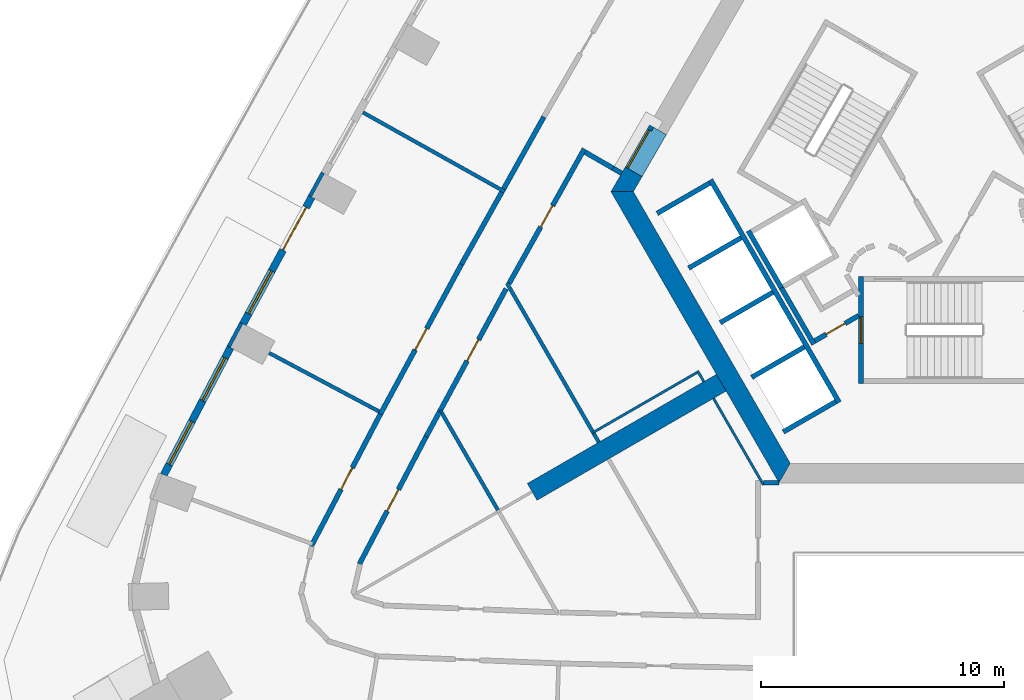
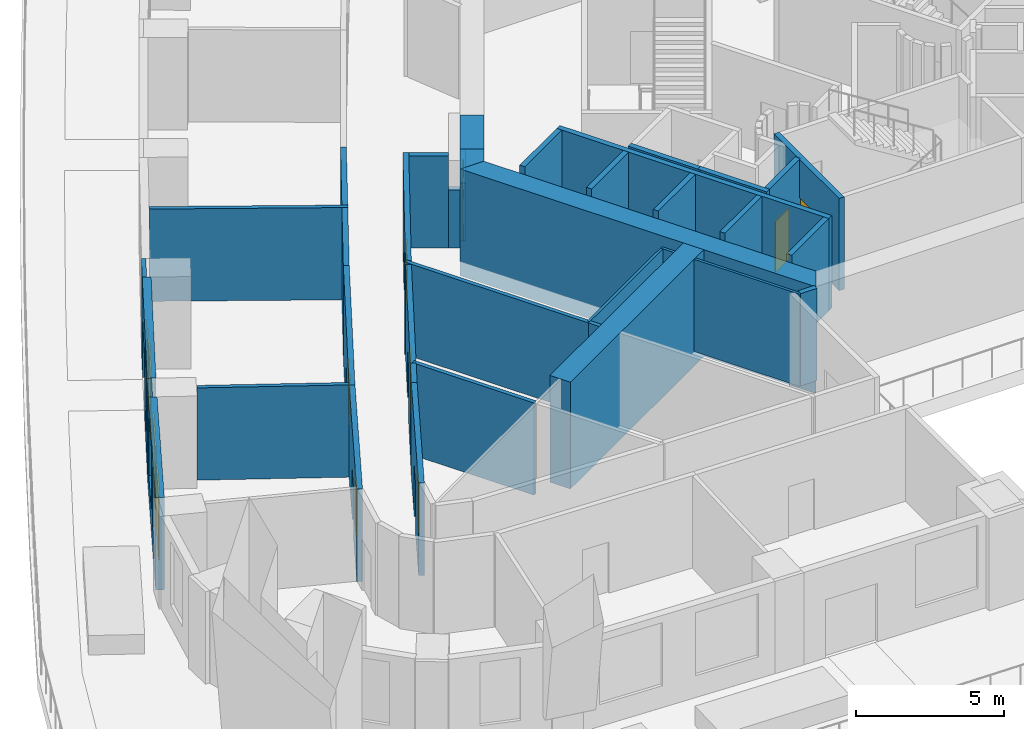
# One storey, part 5 of 16: 38 walls, 9 doors, 3 windows, 12 openings.
"""IFC4 building model written with IfcOpenShell, lengths in metres."""

from ifc_helpers import new_model, si_unit, direction, frame, frame_2d, origin, place, context, subcontext, project, spatial, polyline, rectangle, outline, extrude, material, layer, layer_set, type_object, element, fill, save


model = new_model("IFC4")

# Units and contexts
model_context = context("Model", 3, precision=1e-05, world=origin(), true_north=direction((0.0, 1.0)))
body_context = subcontext(model_context, "Body", "Model", "MODEL_VIEW")
ifc_project = project(units=[si_unit("LENGTHUNIT", "METRE"), si_unit("AREAUNIT", "SQUARE_METRE"), si_unit("VOLUMEUNIT", "CUBIC_METRE"), si_unit("PLANEANGLEUNIT", "RADIAN"), si_unit("MASSUNIT", "GRAM", prefix="KILO")], contexts=[model_context])

# Site, building, storey
site_placement = place(None, origin())
site = spatial("IfcSite", under=ifc_project, at=site_placement, CompositionType="ELEMENT")
building_placement = place(site_placement, origin())
building = spatial("IfcBuilding", under=site, at=building_placement, Name="Entoto Arch Interchange Tower", CompositionType="ELEMENT")
storey_placement = place(building_placement, frame((0.0, 0.0, 138.199951171875)))
storey = spatial("IfcBuildingStorey", under=building, at=storey_placement, Name="L30", CompositionType="ELEMENT", Elevation=138.199951171875)

# Wall
ifc_material_1 = material(Name="Concrete C50/60", Category="concrete")
ifc_layer_1 = layer(ifc_material_1, 0.800048828125)
ifc_layer_set_1 = layer_set([ifc_layer_1], Name="Concrete C50/60")
wall_type_1 = type_object("IfcWallType", Name="Buttress wall 800 C50/60", PredefinedType="SHEAR", material=ifc_layer_set_1)
wall_1_placement = place(storey_placement, frame((-9.31005859375, -5.375, -0.599853515625), z_axis=(0.0, 0.0, 1.0), x_axis=(-0.866017533419, -0.500013631625, 0.0)))
element("IfcWall", 1, at=wall_1_placement, inside=storey, type_object=wall_type_1, Name="Buttress wall SW L30", PredefinedType="SHEAR", context=body_context, shape_type="SweptSolid", body=[
    extrude(rectangle(XDim=8.999755859375, YDim=0.800048828125, at=frame_2d((4.5, 0.0))), origin(), (0.0, 0.0, 1.0), 4.39990234375),
])

# Wall, opening, door
ifc_material_2 = material(Name="Reinforced concrete C40/50", Category="concrete")
ifc_layer_2 = layer(ifc_material_2, 0.199951171875)
ifc_layer_set_2 = layer_set([ifc_layer_2], Name="Reinforced concrete C40/50")
wall_type_2 = type_object("IfcWallType", Name="CORE GAP INFILL WALL", PredefinedType="PARTITIONING", material=ifc_layer_set_2)
wall_2_placement = place(storey_placement, frame((-12.179931640625, 5.201904296875, 0.0), z_axis=(0.0, 0.0, 1.0), x_axis=(-0.50002537861, -0.866010750942, 0.0)))
wall_2 = element("IfcWall", 2, at=wall_2_placement, inside=storey, type_object=wall_type_2, Name="wall:L30:gap3", PredefinedType="PARTITIONING", context=body_context, shape_type="SweptSolid", body=[
    extrude(rectangle(XDim=2.0, YDim=0.199951171875, at=frame_2d((1.0, 0.0))), origin(), (0.0, 0.0, 1.0), 2.400146484375),
])
opening_1_placement = place(wall_2_placement, frame((0.18994140625, 0.0, 0.0)))
opening_1 = element("IfcOpeningElement", 3, at=opening_1_placement, cuts=wall_2, Name="Opening L30-D93", PredefinedType="OPENING", context=body_context, shape_type="SweptSolid", body=[
    extrude(rectangle(XDim=1.800048828125, YDim=2.10009765625, at=frame_2d((0.89990234375, 1.050048828125))), frame((0.0, 0.10986328125, 0.0), z_axis=(0.0, -1.0, 0.0), x_axis=(1.0, 0.0, 0.0)), (0.0, 0.0, 1.0), 0.219970703125),
])
ifc_material_3 = material(Name="Fire-rated Steel S235 door and frame", Category="steel")
door_type_1 = type_object("IfcDoorType", Name="DOOR FD-18 1800x2100", OperationType="DOUBLE_DOOR_SINGLE_SWING", PredefinedType="DOOR", material=ifc_material_3)
door_1_placement = place(opening_1_placement, origin())
door_1 = element("IfcDoor", 4, at=door_1_placement, inside=storey, type_object=door_type_1, Name="door:L30:gap3", OperationType="DOUBLE_DOOR_SINGLE_SWING", OverallHeight=2.10009765625, OverallWidth=1.800048828125, PredefinedType="DOOR", context=body_context, shape_type="SweptSolid", body=[
    extrude(rectangle(XDim=1.800048828125, YDim=2.10009765625, at=frame_2d((0.89990234375, 1.050048828125))), frame((0.0, 0.02490234375, 0.0), z_axis=(0.0, -1.0, 0.0), x_axis=(1.0, 0.0, 0.0)), (0.0, 0.0, 1.0), 0.050048828125),
])
fill(opening_1, door_1)

# Walls
ifc_layer_3 = layer(ifc_material_1, 0.800048828125)
ifc_layer_set_3 = layer_set([ifc_layer_3], Name="Concrete C50/60")
wall_type_3 = type_object("IfcWallType", Name="Core wall 800 C50/60", PredefinedType="SHEAR", material=ifc_layer_set_3)
wall_3_placement = place(storey_placement, frame((0.0, 0.0, -0.599853515625)))
element("IfcWall", 5, at=wall_3_placement, inside=storey, type_object=wall_type_3, Name="Core wall NW L30", PredefinedType="SHEAR", context=body_context, shape_type="SweptSolid", body=[
    extrude(outline(polyline([(-12.574951171875, 3.1201171875), (-13.26708984375, 3.52001953125), (-13.85595703125, 2.5), (-12.93310546875, 2.5), (-12.574951171875, 3.1201171875)])), origin(), (0.0, 0.0, 1.0), 4.39990234375),
])
wall_4_placement = place(storey_placement, frame((0.0, 0.0, 3.60009765625)))
element("IfcWall", 6, at=wall_4_placement, inside=storey, type_object=wall_type_3, Name="Core wall lintel NW L30", PredefinedType="SHEAR", context=body_context, shape_type="SweptSolid", body=[
    extrude(outline(polyline([(-13.26708984375, 3.52001953125), (-12.574951171875, 3.1201171875), (-11.574951171875, 4.85205078125), (-12.26708984375, 5.251953125), (-13.26708984375, 3.52001953125)])), origin(), (0.0, 0.0, 1.0), 0.199951171875),
])
wall_5_placement = place(storey_placement, frame((0.0, 0.0, -0.599853515625)))
element("IfcWall", 7, at=wall_5_placement, inside=storey, type_object=wall_type_3, Name="Core wall SW L30", PredefinedType="SHEAR", context=body_context, shape_type="SweptSolid", body=[
    extrude(outline(polyline([(-13.85595703125, 2.5), (-6.927978515625, -9.5), (-6.466064453125, -8.699951171875), (-12.93310546875, 2.5), (-13.85595703125, 2.5)])), origin(), (0.0, 0.0, 1.0), 4.39990234375),
])
ifc_material_4 = material(Name="Concrete C40/50", Category="concrete")
ifc_layer_4 = layer(ifc_material_4, 0.199951171875)
ifc_layer_set_4 = layer_set([ifc_layer_4], Name="Concrete C40/50")
wall_type_4 = type_object("IfcWallType", Name="LIFT SHAFT WALL 200", PredefinedType="STANDARD", material=ifc_layer_set_4)
wall_6_placement = place(storey_placement, frame((-8.19189453125, 0.887939453125, 0.0), z_axis=(0.0, 0.0, 1.0), x_axis=(0.49994636267, -0.866056369097, 0.0)))
element("IfcWall", 8, at=wall_6_placement, inside=storey, type_object=wall_type_4, Name="Shaft wall SW1 back", PredefinedType="STANDARD", context=body_context, shape_type="SweptSolid", body=[
    extrude(rectangle(XDim=2.800048828125, YDim=0.199951171875, at=frame_2d((1.39990234375, 0.0))), origin(), (0.0, 0.0, 1.0), 3.800048828125),
])
wall_7_placement = place(storey_placement, frame((-9.7509765625, 2.989990234375, 0.0), z_axis=(0.0, 0.0, 1.0), x_axis=(0.50000090737, -0.866024879913, 0.0)))
element("IfcWall", 9, at=wall_7_placement, inside=storey, type_object=wall_type_4, Name="Shaft wall SW3 front", PredefinedType="STANDARD", context=body_context, shape_type="SweptSolid", body=[
    extrude(rectangle(XDim=10.60009765625, YDim=0.199951171875, at=frame_2d((5.300048828125, 0.0))), origin(), (0.0, 0.0, 1.0), 3.800048828125),
])
wall_8_placement = place(storey_placement, frame((-9.7880859375, 2.85302734375, 0.0), z_axis=(0.0, 0.0, 1.0), x_axis=(-0.865998541277, -0.500046524342, 0.0)))
element("IfcWall", 10, at=wall_8_placement, inside=storey, type_object=wall_type_4, Name="Shaft wall SW3 cross 1", PredefinedType="STANDARD", context=body_context, shape_type="SweptSolid", body=[
    extrude(rectangle(XDim=2.499755859375, YDim=0.199951171875, at=frame_2d((1.25, 0.0))), origin(), (0.0, 0.0, 1.0), 3.800048828125),
])
for number, where, z_axis, x_axis, name in (
    (11, (-8.488037109375, 0.60205078125, 0.0), (0.0, 0.0, 1.0), (-0.866022959057, -0.500004234368, 0.0), "Shaft wall SW3 cross 2"),
    (12, (-7.18798828125, -1.64990234375, 0.0), (0.0, 0.0, 1.0), (-0.866022959057, -0.500004234368, 0.0), "Shaft wall SW3 cross 3"),
    (13, (-5.887939453125, -3.902099609375, 0.0), (0.0, 0.0, 1.0), (-0.866022959057, -0.500004234368, 0.0), "Shaft wall SW3 cross 4"),
    (14, (-4.587890625, -6.153076171875, 0.0), (0.0, 0.0, 1.0), (-0.866022959057, -0.500004234368, 0.0), "Shaft wall SW3 cross 5"),
):
    element("IfcWall", number, at=place(storey_placement, frame(where, z_axis=z_axis, x_axis=x_axis)), inside=storey, type_object=wall_type_4, Name=name, PredefinedType="STANDARD", context=body_context, shape_type="SweptSolid", body=[
        extrude(rectangle(XDim=2.5, YDim=0.199951171875, at=frame_2d((1.25, 0.0))), origin(), (0.0, 0.0, 1.0), 3.800048828125),
    ])
ifc_material_5 = material(Name="Gypsum board partition on steel studs", Category="steel")
ifc_layer_5 = layer(ifc_material_5, 0.10009765625)
ifc_layer_set_5 = layer_set([ifc_layer_5], Name="Gypsum board partition on steel studs")
wall_type_5 = type_object("IfcWallType", Name="PARTITION 100", PredefinedType="PARTITIONING", material=ifc_layer_set_5)
wall_9_placement = place(storey_placement, frame((-7.572021484375, -9.5859375, 0.0), z_axis=(0.0, 0.0, 1.0), x_axis=(-0.500037407586, 0.866003805427, 0.0)))
element("IfcWall", 15, at=wall_9_placement, inside=storey, type_object=wall_type_5, Name="wall:L30:p114", PredefinedType="PARTITIONING", context=body_context, shape_type="SweptSolid", body=[
    extrude(rectangle(XDim=4.115478515625, YDim=0.10009765625, at=frame_2d((2.0576171875, 0.0))), origin(), (0.0, 0.0, 1.0), 3.800048828125),
])
wall_10_placement = place(storey_placement, frame((-10.304931640625, -4.950927734375, 0.0), z_axis=(0.0, 0.0, 1.0), x_axis=(-0.866031185235, -0.4999899861, 0.0)))
element("IfcWall", 16, at=wall_10_placement, inside=storey, type_object=wall_type_5, Name="wall:L30:p115", PredefinedType="PARTITIONING", context=body_context, shape_type="SweptSolid", body=[
    extrude(rectangle(XDim=4.9501953125, YDim=0.10009765625, at=frame_2d((2.47509765625, 0.0))), origin(), (0.0, 0.0, 1.0), 3.800048828125),
])
wall_11_placement = place(storey_placement, frame((-10.030029296875, -5.3291015625, 0.0), z_axis=(0.0, 0.0, 1.0), x_axis=(-0.499352927503, 0.866398669086, 0.0)))
element("IfcWall", 17, at=wall_11_placement, inside=storey, type_object=wall_type_5, Name="wall:L30:p114", PredefinedType="PARTITIONING", context=body_context, shape_type="SweptSolid", body=[
    extrude(rectangle(XDim=0.514892578125, YDim=0.10009765625, at=frame_2d((0.25732421875, 0.0))), origin(), (0.0, 0.0, 1.0), 3.800048828125),
])
ifc_layer_6 = layer(ifc_material_5, 0.14990234375)
ifc_layer_set_6 = layer_set([ifc_layer_6], Name="Gypsum board partition on steel studs")
wall_type_6 = type_object("IfcWallType", Name="PARTITION 150", PredefinedType="PARTITIONING", material=ifc_layer_set_6)
wall_12_placement = place(storey_placement, frame((-14.56689453125, -7.468994140625, 0.0), z_axis=(0.0, 0.0, 1.0), x_axis=(-0.500056007527, 0.865993065409, 0.0)))
element("IfcWall", 18, at=wall_12_placement, inside=storey, type_object=wall_type_6, Name="wall:L30:p116", PredefinedType="PARTITIONING", context=body_context, shape_type="SweptSolid", body=[
    extrude(rectangle(XDim=7.159423828125, YDim=0.14990234375, at=frame_2d((3.57958984375, 0.0))), origin(), (0.0, 0.0, 1.0), 3.800048828125),
])
wall_13_placement = place(storey_placement, frame((-14.35888671875, -7.827880859375, 0.0), z_axis=(0.0, 0.0, 1.0), x_axis=(-0.501453821755, 0.865184410775, 0.0)))
element("IfcWall", 19, at=wall_13_placement, inside=storey, type_object=wall_type_6, Name="wall:L30:p117", PredefinedType="PARTITIONING", context=body_context, shape_type="SweptSolid", body=[
    extrude(rectangle(XDim=0.414794921875, YDim=0.14990234375, at=frame_2d((0.20751953125, 0.0))), origin(), (0.0, 0.0, 1.0), 3.800048828125),
])
wall_14_placement = place(storey_placement, frame((-18.51806640625, -10.625, 0.0), z_axis=(0.0, 0.0, 1.0), x_axis=(-0.50001189137, 0.86601853819, 0.0)))
element("IfcWall", 20, at=wall_14_placement, inside=storey, type_object=wall_type_6, Name="wall:L30:p120", PredefinedType="PARTITIONING", context=body_context, shape_type="SweptSolid", body=[
    extrude(rectangle(XDim=4.74609375, YDim=0.14990234375, at=frame_2d((2.373046875, 0.0))), origin(), (0.0, 0.0, 1.0), 3.800048828125),
])
wall_15_placement = place(storey_placement, frame((-18.23388671875, 2.4970703125, 0.0), z_axis=(0.0, 0.0, 1.0), x_axis=(-0.872820235044, 0.4880418397, 0.0)))
element("IfcWall", 21, at=wall_15_placement, inside=storey, type_object=wall_type_6, Name="wall:L30:p135", PredefinedType="PARTITIONING", context=body_context, shape_type="SweptSolid", body=[
    extrude(rectangle(XDim=6.7001953125, YDim=0.14990234375, at=frame_2d((3.35009765625, 0.0))), origin(), (0.0, 0.0, 1.0), 3.800048828125),
])
wall_16_placement = place(storey_placement, frame((-23.4169921875, -6.56005859375, 0.0), z_axis=(0.0, 0.0, 1.0), x_axis=(-0.882784638588, 0.469777906967, 0.0)))
element("IfcWall", 22, at=wall_16_placement, inside=storey, type_object=wall_type_6, Name="wall:L30:p136", PredefinedType="PARTITIONING", context=body_context, shape_type="SweptSolid", body=[
    extrude(rectangle(XDim=5.13037109375, YDim=0.14990234375, at=frame_2d((2.565185546875, 0.0))), origin(), (0.0, 0.0, 1.0), 3.800048828125),
])
ifc_layer_7 = layer(ifc_material_5, 0.199951171875)
ifc_layer_set_7 = layer_set([ifc_layer_7], Name="Gypsum board partition on steel studs")
wall_type_7 = type_object("IfcWallType", Name="PARTITION 200", PredefinedType="PARTITIONING", material=ifc_layer_set_7)
wall_17_placement = place(storey_placement, frame((-13.4169921875, 3.260009765625, 0.0), z_axis=(0.0, 0.0, 1.0), x_axis=(-0.866398669086, 0.499352927503, 0.0)))
element("IfcWall", 23, at=wall_17_placement, inside=storey, type_object=wall_type_7, Name="wall:L30:p022", PredefinedType="PARTITIONING", context=body_context, shape_type="SweptSolid", body=[
    extrude(rectangle(XDim=0.400390625, YDim=0.199951171875, at=frame_2d((0.2001953125, 0.0))), origin(), (0.0, 0.0, 1.0), 2.400146484375),
])

# Wall, opening, door
wall_18_placement = place(storey_placement, frame((-14.955078125, 4.263916015625, 0.0), z_axis=(0.0, 0.0, 1.0), x_axis=(-0.4879770011, -0.872856486713, 0.0)))
wall_18 = element("IfcWall", 24, at=wall_18_placement, inside=storey, type_object=wall_type_7, Name="wall:L30:p023", PredefinedType="PARTITIONING", context=body_context, shape_type="SweptSolid", body=[
    extrude(rectangle(XDim=6.363037109375, YDim=0.199951171875, at=frame_2d((3.181640625, 0.0))), origin(), (0.0, 0.0, 1.0), 3.800048828125),
])
opening_2_placement = place(wall_18_placement, frame((2.680908203125, 0.0, 0.0)))
opening_2 = element("IfcOpeningElement", 25, at=opening_2_placement, cuts=wall_18, Name="Opening L30-D24", PredefinedType="OPENING", context=body_context, shape_type="SweptSolid", body=[
    extrude(rectangle(XDim=1.0, YDim=2.10009765625, at=frame_2d((0.5, 1.050048828125))), frame((0.0, 0.10986328125, 0.0), z_axis=(0.0, -1.0, 0.0), x_axis=(1.0, 0.0, 0.0)), (0.0, 0.0, 1.0), 0.219970703125),
])
ifc_material_6 = material(Name="Timber door leaf in Steel S235 frame", Category="steel")
door_type_2 = type_object("IfcDoorType", Name="DOOR DS-10 1000x2100", OperationType="SINGLE_SWING_LEFT", PredefinedType="DOOR", material=ifc_material_6)
door_2_placement = place(opening_2_placement, origin())
door_2 = element("IfcDoor", 26, at=door_2_placement, inside=storey, type_object=door_type_2, Name="door:L30:24", OperationType="SINGLE_SWING_LEFT", OverallHeight=2.10009765625, OverallWidth=1.0, PredefinedType="DOOR", context=body_context, shape_type="SweptSolid", body=[
    extrude(rectangle(XDim=1.0, YDim=2.10009765625, at=frame_2d((0.5, 1.050048828125))), frame((0.0, 0.02490234375, 0.0), z_axis=(0.0, -1.0, 0.0), x_axis=(1.0, 0.0, 0.0)), (0.0, 0.0, 1.0), 0.050048828125),
])
fill(opening_2, door_2)

wall_19_placement = place(storey_placement, frame((-18.177978515625, -1.5009765625, 0.0), z_axis=(0.0, 0.0, 1.0), x_axis=(-0.475923642768, -0.879486603795, 0.0)))
wall_19 = element("IfcWall", 27, at=wall_19_placement, inside=storey, type_object=wall_type_7, Name="wall:L30:p025", PredefinedType="PARTITIONING", context=body_context, shape_type="SweptSolid", body=[
    extrude(rectangle(XDim=5.776123046875, YDim=0.199951171875, at=frame_2d((2.88818359375, 0.0))), origin(), (0.0, 0.0, 1.0), 3.800048828125),
])
opening_3_placement = place(wall_19_placement, frame((2.387939453125, 0.0, 0.0)))
opening_3 = element("IfcOpeningElement", 28, at=opening_3_placement, cuts=wall_19, Name="Opening L30-D26", PredefinedType="OPENING", context=body_context, shape_type="SweptSolid", body=[
    extrude(rectangle(XDim=1.0, YDim=2.10009765625, at=frame_2d((0.5, 1.050048828125))), frame((0.0, 0.10986328125, 0.0), z_axis=(0.0, -1.0, 0.0), x_axis=(1.0, 0.0, 0.0)), (0.0, 0.0, 1.0), 0.219970703125),
])
door_3_placement = place(opening_3_placement, origin())
door_3 = element("IfcDoor", 29, at=door_3_placement, inside=storey, type_object=door_type_2, Name="door:L30:26", OperationType="SINGLE_SWING_LEFT", OverallHeight=2.10009765625, OverallWidth=1.0, PredefinedType="DOOR", context=body_context, shape_type="SweptSolid", body=[
    extrude(rectangle(XDim=1.0, YDim=2.10009765625, at=frame_2d((0.5, 1.050048828125))), frame((0.0, 0.02490234375, 0.0), z_axis=(0.0, -1.0, 0.0), x_axis=(1.0, 0.0, 0.0)), (0.0, 0.0, 1.0), 0.050048828125),
])
fill(opening_3, door_3)

wall_20_placement = place(storey_placement, frame((-21.47509765625, -7.593994140625, 0.0), z_axis=(0.0, 0.0, 1.0), x_axis=(-0.463809970306, -0.885934710599, 0.0)))
wall_20 = element("IfcWall", 30, at=wall_20_placement, inside=storey, type_object=wall_type_7, Name="wall:L30:p027", PredefinedType="PARTITIONING", context=body_context, shape_type="SweptSolid", body=[
    extrude(rectangle(XDim=5.927001953125, YDim=0.199951171875, at=frame_2d((2.96337890625, 0.0))), origin(), (0.0, 0.0, 1.0), 3.800048828125),
])
opening_4_placement = place(wall_20_placement, frame((2.464111328125, 0.0, 0.0)))
opening_4 = element("IfcOpeningElement", 31, at=opening_4_placement, cuts=wall_20, Name="Opening L30-D28", PredefinedType="OPENING", context=body_context, shape_type="SweptSolid", body=[
    extrude(rectangle(XDim=1.0, YDim=2.10009765625, at=frame_2d((0.5, 1.050048828125))), frame((0.0, 0.10986328125, 0.0), z_axis=(0.0, -1.0, 0.0), x_axis=(1.0, 0.0, 0.0)), (0.0, 0.0, 1.0), 0.219970703125),
])
door_4_placement = place(opening_4_placement, origin())
door_4 = element("IfcDoor", 32, at=door_4_placement, inside=storey, type_object=door_type_2, Name="door:L30:28", OperationType="SINGLE_SWING_LEFT", OverallHeight=2.10009765625, OverallWidth=1.0, PredefinedType="DOOR", context=body_context, shape_type="SweptSolid", body=[
    extrude(rectangle(XDim=1.0, YDim=2.10009765625, at=frame_2d((0.5, 1.050048828125))), frame((0.0, 0.02490234375, 0.0), z_axis=(0.0, -1.0, 0.0), x_axis=(1.0, 0.0, 0.0)), (0.0, 0.0, 1.0), 0.050048828125),
])
fill(opening_4, door_4)

# Walls
wall_21_placement = place(storey_placement, frame((-20.927001953125, -6.5810546875, 0.0), z_axis=(0.0, 0.0, 1.0), x_axis=(-0.475893856394, -0.879502721682, 0.0)))
element("IfcWall", 33, at=wall_21_placement, inside=storey, type_object=wall_type_7, Name="wall:L30:p029", PredefinedType="PARTITIONING", context=body_context, shape_type="SweptSolid", body=[
    extrude(rectangle(XDim=1.151611328125, YDim=0.199951171875, at=frame_2d((0.57568359375, 0.0))), origin(), (0.0, 0.0, 1.0), 3.800048828125),
])
wall_22_placement = place(storey_placement, frame((-18.283935546875, 2.612060546875, 0.0), z_axis=(0.0, 0.0, 1.0), x_axis=(0.487871212611, 0.872915620152, 0.0)))
element("IfcWall", 34, at=wall_22_placement, inside=storey, type_object=wall_type_7, Name="wall:L30:p055", PredefinedType="PARTITIONING", context=body_context, shape_type="SweptSolid", body=[
    extrude(rectangle(XDim=3.40234375, YDim=0.199951171875, at=frame_2d((1.701171875, 0.0))), origin(), (0.0, 0.0, 1.0), 3.800048828125),
])

# Wall, opening, door
wall_23_placement = place(storey_placement, frame((-23.364990234375, -6.673095703125, 0.0), z_axis=(0.0, 0.0, 1.0), x_axis=(0.47597665142, 0.879457916732, 0.0)))
wall_23 = element("IfcWall", 35, at=wall_23_placement, inside=storey, type_object=wall_type_7, Name="wall:L30:p057", PredefinedType="PARTITIONING", context=body_context, shape_type="SweptSolid", body=[
    extrude(rectangle(XDim=7.03173828125, YDim=0.199951171875, at=frame_2d((3.515869140625, 0.0))), origin(), (0.0, 0.0, 1.0), 3.800048828125),
])
opening_5_placement = place(wall_23_placement, frame((3.01611328125, 0.0, 0.0)))
opening_5 = element("IfcOpeningElement", 36, at=opening_5_placement, cuts=wall_23, Name="Opening L30-D14", PredefinedType="OPENING", context=body_context, shape_type="SweptSolid", body=[
    extrude(rectangle(XDim=1.0, YDim=2.10009765625, at=frame_2d((0.5, 1.050048828125))), frame((0.0, 0.10986328125, 0.0), z_axis=(0.0, -1.0, 0.0), x_axis=(1.0, 0.0, 0.0)), (0.0, 0.0, 1.0), 0.219970703125),
])
door_5_placement = place(opening_5_placement, origin())
door_5 = element("IfcDoor", 37, at=door_5_placement, inside=storey, type_object=door_type_2, Name="door:L30:14", OperationType="SINGLE_SWING_LEFT", OverallHeight=2.10009765625, OverallWidth=1.0, PredefinedType="DOOR", context=body_context, shape_type="SweptSolid", body=[
    extrude(rectangle(XDim=1.0, YDim=2.10009765625, at=frame_2d((0.5, 1.050048828125))), frame((0.0, 0.02490234375, 0.0), z_axis=(0.0, -1.0, 0.0), x_axis=(1.0, 0.0, 0.0)), (0.0, 0.0, 1.0), 0.050048828125),
])
fill(opening_5, door_5)

# Wall
wall_24_placement = place(storey_placement, frame((-20.01806640625, -0.489013671875, 0.0), z_axis=(0.0, 0.0, 1.0), x_axis=(0.48792588674, 0.872885060617, 0.0)))
element("IfcWall", 38, at=wall_24_placement, inside=storey, type_object=wall_type_7, Name="wall:L30:p058", PredefinedType="PARTITIONING", context=body_context, shape_type="SweptSolid", body=[
    extrude(rectangle(XDim=3.402587890625, YDim=0.199951171875, at=frame_2d((1.701171875, 0.0))), origin(), (0.0, 0.0, 1.0), 3.800048828125),
])

# Wall, opening, door
wall_25_placement = place(storey_placement, frame((-26.2099609375, -12.111083984375, 0.0), z_axis=(0.0, 0.0, 1.0), x_axis=(0.46374980173, 0.885966207818, 0.0)))
wall_25 = element("IfcWall", 39, at=wall_25_placement, inside=storey, type_object=wall_type_7, Name="wall:L30:p059", PredefinedType="PARTITIONING", context=body_context, shape_type="SweptSolid", body=[
    extrude(rectangle(XDim=6.13671875, YDim=0.199951171875, at=frame_2d((3.068359375, 0.0))), origin(), (0.0, 0.0, 1.0), 3.800048828125),
])
opening_6_placement = place(wall_25_placement, frame((2.64404296875, 0.0, 0.0)))
opening_6 = element("IfcOpeningElement", 40, at=opening_6_placement, cuts=wall_25, Name="Opening L30-D15", PredefinedType="OPENING", context=body_context, shape_type="SweptSolid", body=[
    extrude(rectangle(XDim=1.0, YDim=2.10009765625, at=frame_2d((0.5, 1.050048828125))), frame((0.0, 0.10986328125, 0.0), z_axis=(0.0, -1.0, 0.0), x_axis=(1.0, 0.0, 0.0)), (0.0, 0.0, 1.0), 0.219970703125),
])
door_6_placement = place(opening_6_placement, origin())
door_6 = element("IfcDoor", 41, at=door_6_placement, inside=storey, type_object=door_type_2, Name="door:L30:15", OperationType="SINGLE_SWING_LEFT", OverallHeight=2.10009765625, OverallWidth=1.0, PredefinedType="DOOR", context=body_context, shape_type="SweptSolid", body=[
    extrude(rectangle(XDim=1.0, YDim=2.10009765625, at=frame_2d((0.5, 1.050048828125))), frame((0.0, 0.02490234375, 0.0), z_axis=(0.0, -1.0, 0.0), x_axis=(1.0, 0.0, 0.0)), (0.0, 0.0, 1.0), 0.050048828125),
])
fill(opening_6, door_6)

wall_26_placement = place(storey_placement, frame((-3.64990234375, -2.610107421875, 0.0), z_axis=(0.0, 0.0, 1.0), x_axis=(-0.866072462134, -0.499918483688, 0.0)))
wall_26 = element("IfcWall", 42, at=wall_26_placement, inside=storey, type_object=wall_type_7, Name="wall:L30:p082", PredefinedType="PARTITIONING", context=body_context, shape_type="SweptSolid", body=[
    extrude(rectangle(XDim=2.084228515625, YDim=0.199951171875, at=frame_2d((1.0419921875, 0.0))), origin(), (0.0, 0.0, 1.0), 3.800048828125),
])
opening_7_placement = place(wall_26_placement, frame((0.64208984375, 0.0, 0.0)))
opening_7 = element("IfcOpeningElement", 43, at=opening_7_placement, cuts=wall_26, Name="Opening L30-D36", PredefinedType="OPENING", context=body_context, shape_type="SweptSolid", body=[
    extrude(rectangle(XDim=0.89990234375, YDim=2.10009765625, at=frame_2d((0.449951171875, 1.050048828125))), frame((0.0, 0.10986328125, 0.0), z_axis=(0.0, -1.0, 0.0), x_axis=(1.0, 0.0, 0.0)), (0.0, 0.0, 1.0), 0.219970703125),
])
door_type_3 = type_object("IfcDoorType", Name="DOOR DS-09 900x2100", OperationType="SINGLE_SWING_LEFT", PredefinedType="DOOR", material=ifc_material_6)
door_7_placement = place(opening_7_placement, origin())
door_7 = element("IfcDoor", 44, at=door_7_placement, inside=storey, type_object=door_type_3, Name="door:L30:36", OperationType="SINGLE_SWING_LEFT", OverallHeight=2.10009765625, OverallWidth=0.89990234375, PredefinedType="DOOR", context=body_context, shape_type="SweptSolid", body=[
    extrude(rectangle(XDim=0.89990234375, YDim=2.10009765625, at=frame_2d((0.449951171875, 1.050048828125))), frame((0.0, 0.02490234375, 0.0), z_axis=(0.0, -1.0, 0.0), x_axis=(1.0, 0.0, 0.0)), (0.0, 0.0, 1.0), 0.050048828125),
])
fill(opening_7, door_7)

# Walls
wall_27_placement = place(storey_placement, frame((-5.491943359375, -3.7880859375, 0.0), z_axis=(0.0, 0.0, 1.0), x_axis=(-0.500008949224, 0.866020236886, 0.0)))
element("IfcWall", 45, at=wall_27_placement, inside=storey, type_object=wall_type_7, Name="wall:L30:p083", PredefinedType="PARTITIONING", context=body_context, shape_type="SweptSolid", body=[
    extrude(rectangle(XDim=2.68017578125, YDim=0.199951171875, at=frame_2d((1.340087890625, 0.0))), origin(), (0.0, 0.0, 1.0), 3.800048828125),
])
wall_28_placement = place(storey_placement, frame((-7.572021484375, -9.4990234375, 0.0), z_axis=(0.0, 0.0, 1.0), x_axis=(1.0, 0.0, 0.0)))
element("IfcWall", 46, at=wall_28_placement, inside=storey, type_object=wall_type_7, Name="wall:L30:p103", PredefinedType="PARTITIONING", context=body_context, shape_type="SweptSolid", body=[
    extrude(rectangle(XDim=0.64306640625, YDim=0.199951171875, at=frame_2d((0.321533203125, 0.0))), origin(), (0.0, 0.0, 1.0), 3.800048828125),
])
wall_29_placement = place(storey_placement, frame((-13.763916015625, 3.4599609375, 0.0), z_axis=(0.0, 0.0, 1.0), x_axis=(-0.865932130826, 0.500161518715, 0.0)))
element("IfcWall", 47, at=wall_29_placement, inside=storey, type_object=wall_type_7, Name="wall:L30:p022", PredefinedType="PARTITIONING", context=body_context, shape_type="SweptSolid", body=[
    extrude(rectangle(XDim=1.33154296875, YDim=0.199951171875, at=frame_2d((0.665771484375, 0.0))), origin(), (0.0, 0.0, 1.0), 3.800048828125),
])

# Wall, opening, door
ifc_layer_8 = layer(ifc_material_4, 0.199951171875)
ifc_layer_set_8 = layer_set([ifc_layer_8], Name="Concrete C40/50")
wall_type_8 = type_object("IfcWallType", Name="STAIR ENCLOSURE WALL 200", PredefinedType="STANDARD", material=ifc_layer_set_8)
wall_30_placement = place(storey_placement, frame((-3.550048828125, -1.0, 0.0), z_axis=(0.0, 0.0, 1.0), x_axis=(0.0, -1.0, 0.0)))
wall_30 = element("IfcWall", 48, at=wall_30_placement, inside=storey, type_object=wall_type_8, Name="Stair wall ST-S near", PredefinedType="STANDARD", context=body_context, shape_type="SweptSolid", body=[
    extrude(rectangle(XDim=4.39990234375, YDim=0.199951171875, at=frame_2d((2.199951171875, 0.0))), origin(), (0.0, 0.0, 1.0), 3.800048828125),
])
opening_8_placement = place(wall_30_placement, frame((1.64990234375, 0.0, 0.0)))
opening_8 = element("IfcOpeningElement", 49, at=opening_8_placement, cuts=wall_30, Name="Opening SD-ST-S-L30-E", PredefinedType="OPENING", context=body_context, shape_type="SweptSolid", body=[
    extrude(rectangle(XDim=1.10009765625, YDim=2.199951171875, at=frame_2d((0.550048828125, 1.10009765625))), frame((0.0, 0.10986328125, 0.0), z_axis=(0.0, -1.0, 0.0), x_axis=(1.0, 0.0, 0.0)), (0.0, 0.0, 1.0), 0.219970703125),
])
ifc_material_7 = material(Name="Steel S235", Category="steel")
door_type_4 = type_object("IfcDoorType", Name="STAIR DOOR SD1 1100x2200", OperationType="SINGLE_SWING_LEFT", PredefinedType="DOOR", material=ifc_material_7)
door_8_placement = place(opening_8_placement, origin())
door_8 = element("IfcDoor", 50, at=door_8_placement, inside=storey, type_object=door_type_4, Name="Stair door ST-S L30 end", OperationType="SINGLE_SWING_LEFT", OverallHeight=2.199951171875, OverallWidth=1.10009765625, PredefinedType="DOOR", context=body_context, shape_type="SweptSolid", body=[
    extrude(rectangle(XDim=1.10009765625, YDim=2.199951171875, at=frame_2d((0.550048828125, 1.10009765625))), frame((0.0, 0.02490234375, 0.0), z_axis=(0.0, -1.0, 0.0), x_axis=(1.0, 0.0, 0.0)), (0.0, 0.0, 1.0), 0.050048828125),
])
fill(opening_8, door_8)

# Wall, openings, door, window
ifc_material_8 = material(Name="Welded tuff (ignimbrite) cladding, warm buff", Category="masonry")
ifc_layer_9 = layer(ifc_material_8, 0.300048828125)
ifc_layer_set_9 = layer_set([ifc_layer_9], Name="Welded tuff (ignimbrite) cladding, warm buff")
wall_type_9 = type_object("IfcWallType", Name="STONE INFILL WALL 300", PredefinedType="STANDARD", material=ifc_layer_set_9)
wall_31_placement = place(storey_placement, frame((-26.194091796875, 2.281982421875, 0.0), z_axis=(0.0, 0.0, 1.0), x_axis=(-0.475794135288, -0.87955667289, 0.0)))
wall_31 = element("IfcWall", 51, at=wall_31_placement, inside=storey, type_object=wall_type_9, Name="Facade wall NW-06 L30", PredefinedType="STANDARD", context=body_context, shape_type="SweptSolid", body=[
    extrude(rectangle(XDim=5.95166015625, YDim=0.300048828125, at=frame_2d((2.975830078125, 0.0))), origin(), (0.0, 0.0, 1.0), 3.800048828125),
])
opening_9_placement = place(wall_31_placement, frame((0.488037109375, 0.0, 0.0)))
opening_9 = element("IfcOpeningElement", 52, at=opening_9_placement, cuts=wall_31, Name="Opening DT-NW-06-L30", PredefinedType="OPENING", context=body_context, shape_type="SweptSolid", body=[
    extrude(rectangle(XDim=2.0, YDim=2.39990234375, at=frame_2d((1.0, 1.199951171875))), frame((0.0, 0.16015625, 0.0), z_axis=(0.0, -1.0, 0.0), x_axis=(1.0, 0.0, 0.0)), (0.0, 0.0, 1.0), 0.320068359375),
])
opening_10_placement = place(wall_31_placement, frame((3.464111328125, 0.0, 0.89990234375)))
opening_10 = element("IfcOpeningElement", 53, at=opening_10_placement, cuts=wall_31, Name="Opening WO-C", PredefinedType="OPENING", context=body_context, shape_type="SweptSolid", body=[
    extrude(rectangle(XDim=2.0, YDim=2.60009765625, at=frame_2d((1.0, 1.300048828125))), frame((0.0, 0.16015625, 0.0), z_axis=(0.0, -1.0, 0.0), x_axis=(1.0, 0.0, 0.0)), (0.0, 0.0, 1.0), 0.320068359375),
])
ifc_material_9 = material(Name="Aluminium and clear glass, anodised", Category="aluminium")
door_type_5 = type_object("IfcDoorType", Name="TERRACE DOOR DT 2000x2400", OperationType="SLIDING_TO_LEFT", PredefinedType="DOOR", material=ifc_material_9)
door_9_placement = place(opening_9_placement, origin())
door_9 = element("IfcDoor", 54, at=door_9_placement, inside=storey, type_object=door_type_5, Name="Terrace door NW-06 L30", OperationType="SLIDING_TO_LEFT", OverallHeight=2.39990234375, OverallWidth=2.0, PredefinedType="DOOR", context=body_context, shape_type="SweptSolid", body=[
    extrude(rectangle(XDim=2.0, YDim=2.39990234375, at=frame_2d((1.0, 1.199951171875))), frame((0.0, 0.02490234375, 0.0), z_axis=(0.0, -1.0, 0.0), x_axis=(1.0, 0.0, 0.0)), (0.0, 0.0, 1.0), 0.050048828125),
])
fill(opening_9, door_9)
ifc_material_10 = material(Name="Clear glass, low-e double glazed", Category="glass")
window_type = type_object("IfcWindowType", Name="WINDOW WO-C 2000x2600", PartitioningType="DOUBLE_PANEL_VERTICAL", PredefinedType="WINDOW", material=ifc_material_10)
window_1_placement = place(opening_10_placement, origin())
window_1 = element("IfcWindow", 55, at=window_1_placement, inside=storey, type_object=window_type, Name="Window WO-C NW-06 L30", OverallHeight=2.60009765625, OverallWidth=2.0, PartitioningType="SINGLE_PANEL", PredefinedType="WINDOW", context=body_context, shape_type="SweptSolid", body=[
    extrude(rectangle(XDim=2.0, YDim=2.60009765625, at=frame_2d((1.0, 1.300048828125))), frame((0.0, 0.030029296875, 0.0), z_axis=(0.0, -1.0, 0.0), x_axis=(1.0, 0.0, 0.0)), (0.0, 0.0, 1.0), 0.06005859375),
])
fill(opening_10, window_1)

# Wall, openings, windows
wall_32_placement = place(storey_placement, frame((-29.5419921875, -3.922119140625, 0.0), z_axis=(0.0, 0.0, 1.0), x_axis=(-0.463809970306, -0.885934710599, 0.0)))
wall_32 = element("IfcWall", 56, at=wall_32_placement, inside=storey, type_object=wall_type_9, Name="Facade wall NW-07 L30", PredefinedType="STANDARD", context=body_context, shape_type="SweptSolid", body=[
    extrude(rectangle(XDim=5.927001953125, YDim=0.300048828125, at=frame_2d((2.96337890625, 0.0))), origin(), (0.0, 0.0, 1.0), 3.800048828125),
])
opening_11_placement = place(wall_32_placement, frame((0.48193359375, 0.0, 0.89990234375)))
opening_11 = element("IfcOpeningElement", 57, at=opening_11_placement, cuts=wall_32, Name="Opening WO-C", PredefinedType="OPENING", context=body_context, shape_type="SweptSolid", body=[
    extrude(rectangle(XDim=2.0, YDim=2.60009765625, at=frame_2d((1.0, 1.300048828125))), frame((0.0, 0.16015625, 0.0), z_axis=(0.0, -1.0, 0.0), x_axis=(1.0, 0.0, 0.0)), (0.0, 0.0, 1.0), 0.320068359375),
])
opening_12_placement = place(wall_32_placement, frame((3.445068359375, 0.0, 0.89990234375)))
opening_12 = element("IfcOpeningElement", 58, at=opening_12_placement, cuts=wall_32, Name="Opening WO-C", PredefinedType="OPENING", context=body_context, shape_type="SweptSolid", body=[
    extrude(rectangle(XDim=2.0, YDim=2.60009765625, at=frame_2d((1.0, 1.300048828125))), frame((0.0, 0.16015625, 0.0), z_axis=(0.0, -1.0, 0.0), x_axis=(1.0, 0.0, 0.0)), (0.0, 0.0, 1.0), 0.320068359375),
])
window_2_placement = place(opening_11_placement, origin())
window_2 = element("IfcWindow", 59, at=window_2_placement, inside=storey, type_object=window_type, Name="Window WO-C NW-07 L30", OverallHeight=2.60009765625, OverallWidth=2.0, PartitioningType="SINGLE_PANEL", PredefinedType="WINDOW", context=body_context, shape_type="SweptSolid", body=[
    extrude(rectangle(XDim=2.0, YDim=2.60009765625, at=frame_2d((1.0, 1.300048828125))), frame((0.0, 0.030029296875, 0.0), z_axis=(0.0, -1.0, 0.0), x_axis=(1.0, 0.0, 0.0)), (0.0, 0.0, 1.0), 0.06005859375),
])
fill(opening_11, window_2)
window_3_placement = place(opening_12_placement, origin())
window_3 = element("IfcWindow", 60, at=window_3_placement, inside=storey, type_object=window_type, Name="Window WO-C NW-07 L30", OverallHeight=2.60009765625, OverallWidth=2.0, PartitioningType="SINGLE_PANEL", PredefinedType="WINDOW", context=body_context, shape_type="SweptSolid", body=[
    extrude(rectangle(XDim=2.0, YDim=2.60009765625, at=frame_2d((1.0, 1.300048828125))), frame((0.0, 0.030029296875, 0.0), z_axis=(0.0, -1.0, 0.0), x_axis=(1.0, 0.0, 0.0)), (0.0, 0.0, 1.0), 0.06005859375),
])
fill(opening_12, window_3)

# Walls
ifc_layer_10 = layer(ifc_material_8, 0.14990234375)
ifc_layer_set_10 = layer_set([ifc_layer_10], Name="Welded tuff (ignimbrite) cladding, warm buff")
wall_type_10 = type_object("IfcWallType", Name="STONE PIER CLADDING 150", PredefinedType="STANDARD", material=ifc_layer_set_10)
for number, where, z_axis, x_axis, name in (
    (61, (-25.73291015625, 3.282958984375, 0.0), (0.0, 0.0, 1.0), (-0.481850587491, -0.876253394478, 0.0), "Stone pier NW06 L30"),
    (62, (-29.094970703125, -2.9150390625, 0.0), (0.0, 0.0, 1.0), (-0.470058271093, -0.88263538439, 0.0), "Stone pier NW07 L30"),
):
    element("IfcWall", number, at=place(storey_placement, frame(where, z_axis=z_axis, x_axis=x_axis)), inside=storey, type_object=wall_type_10, Name=name, PredefinedType="STANDARD", context=body_context, shape_type="SweptSolid", body=[
        extrude(rectangle(XDim=1.10009765625, YDim=0.14990234375, at=frame_2d((0.550048828125, 0.0))), origin(), (0.0, 0.0, 1.0), 3.800048828125),
    ])

save(model, "model.ifc")
